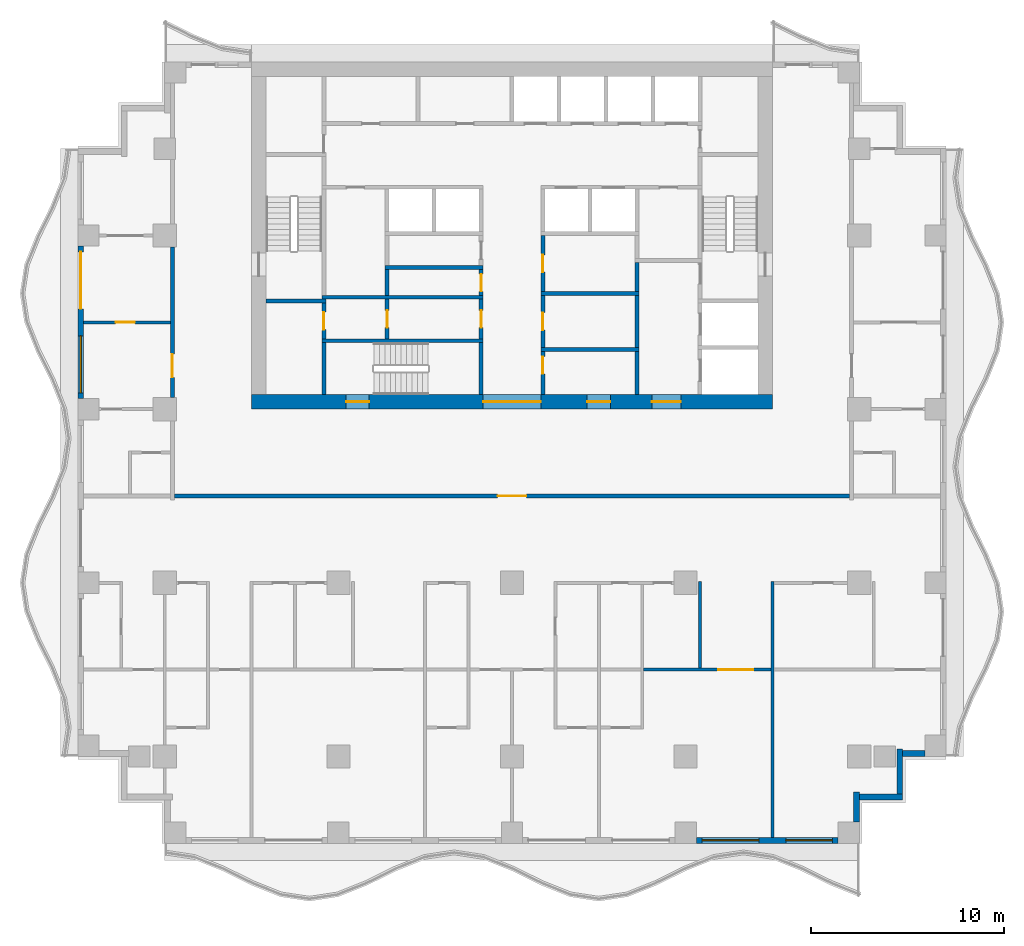
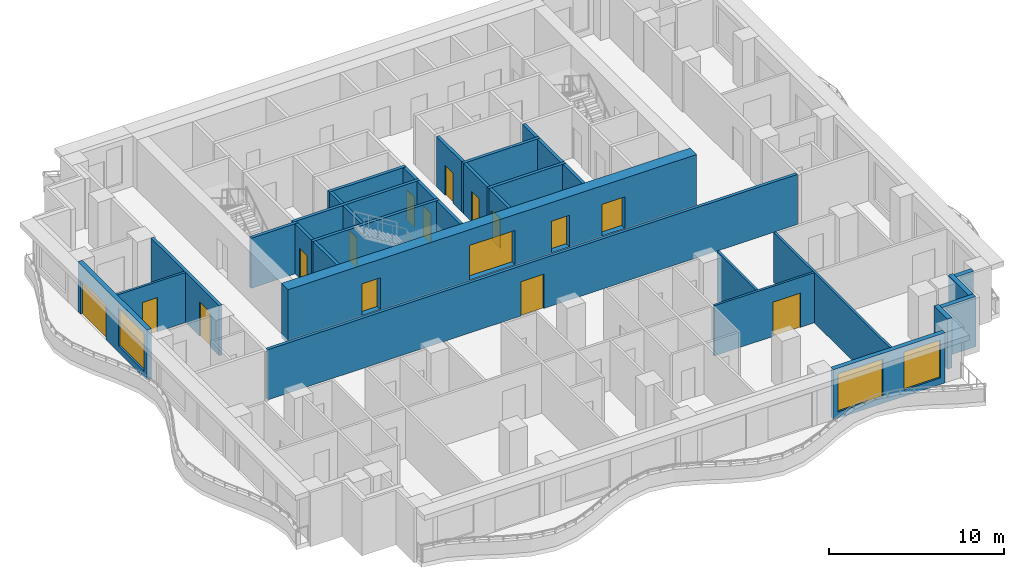
# One storey, part 3 of 10: 32 walls, 16 doors, 3 windows, 19 openings.
"""IFC4 building model written with IfcOpenShell, lengths in metres."""

from ifc_helpers import new_model, si_unit, direction, frame, frame_2d, origin, place, context, subcontext, project, spatial, rectangle, extrude, material, layer, layer_set, type_object, element, fill, save


model = new_model("IFC4")

# Units and contexts
model_context = context("Model", 3, precision=1e-05, world=origin(), true_north=direction((0.0, 1.0)))
body_context = subcontext(model_context, "Body", "Model", "MODEL_VIEW")
ifc_project = project(units=[si_unit("LENGTHUNIT", "METRE"), si_unit("AREAUNIT", "SQUARE_METRE"), si_unit("VOLUMEUNIT", "CUBIC_METRE"), si_unit("PLANEANGLEUNIT", "RADIAN"), si_unit("MASSUNIT", "GRAM", prefix="KILO")], contexts=[model_context])

# Site, building, storey
site_placement = place(None, origin())
site = spatial("IfcSite", under=ifc_project, at=site_placement, CompositionType="ELEMENT")
building_placement = place(site_placement, origin())
building = spatial("IfcBuilding", under=site, at=building_placement, Name="Orbiselva Terraces", CompositionType="ELEMENT")
storey_placement = place(building_placement, frame((0.0, 0.0, 166.8)))
storey = spatial("IfcBuildingStorey", under=building, at=storey_placement, Name="L42", CompositionType="ELEMENT", Elevation=166.8)

# Wall, openings, doors
ifc_material_1 = material(Name="Concrete C80/95", Category="concrete")
ifc_layer_1 = layer(ifc_material_1, 0.75)
ifc_layer_set_1 = layer_set([ifc_layer_1], Name="Concrete C80/95")
wall_type_1 = type_object("IfcWallType", Name="CORE WALL 750", PredefinedType="SHEAR", material=ifc_layer_set_1)
wall_1_placement = place(storey_placement, frame((-13.5, 4.875, -0.3), z_axis=(0.0, 0.0, 1.0), x_axis=(1.0, 0.0, 0.0)))
wall_1 = element("IfcWall", 1, at=wall_1_placement, inside=storey, type_object=wall_type_1, Name="Core wall L42 south", PredefinedType="SHEAR", context=body_context, shape_type="SweptSolid", body=[
    extrude(rectangle(XDim=27.0, YDim=0.75, at=frame_2d((13.5, 0.0))), origin(), (0.0, 0.0, 1.0), 3.8),
])
opening_1_placement = place(wall_1_placement, frame((12.0, 0.0, 0.3)))
opening_1 = element("IfcOpeningElement", 2, at=opening_1_placement, cuts=wall_1, Name="Opening DL3000", PredefinedType="OPENING", context=body_context, shape_type="SweptSolid", body=[
    extrude(rectangle(XDim=3.0, YDim=2.4, at=frame_2d((1.5, 1.2))), frame((0.0, 0.385, 0.0), z_axis=(0.0, -1.0, 0.0), x_axis=(1.0, 0.0, 0.0)), (0.0, 0.0, 1.0), 0.77),
])
opening_2_placement = place(wall_1_placement, frame((4.9, 0.0, 0.3)))
opening_2 = element("IfcOpeningElement", 3, at=opening_2_placement, cuts=wall_1, Name="Opening DS1200", PredefinedType="OPENING", context=body_context, shape_type="SweptSolid", body=[
    extrude(rectangle(XDim=1.2, YDim=2.2, at=frame_2d((0.6, 1.1))), frame((0.0, 0.385, 0.0), z_axis=(0.0, -1.0, 0.0), x_axis=(1.0, 0.0, 0.0)), (0.0, 0.0, 1.0), 0.77),
])
opening_3_placement = place(wall_1_placement, frame((20.75, 0.0, 0.3)))
opening_3 = element("IfcOpeningElement", 4, at=opening_3_placement, cuts=wall_1, Name="Opening DF1500", PredefinedType="OPENING", context=body_context, shape_type="SweptSolid", body=[
    extrude(rectangle(XDim=1.5, YDim=2.2, at=frame_2d((0.75, 1.1))), frame((0.0, 0.385, 0.0), z_axis=(0.0, -1.0, 0.0), x_axis=(1.0, 0.0, 0.0)), (0.0, 0.0, 1.0), 0.77),
])
opening_4_placement = place(wall_1_placement, frame((17.4, 0.0, 0.3)))
opening_4 = element("IfcOpeningElement", 5, at=opening_4_placement, cuts=wall_1, Name="Opening DV1200", PredefinedType="OPENING", context=body_context, shape_type="SweptSolid", body=[
    extrude(rectangle(XDim=1.2, YDim=2.2, at=frame_2d((0.6, 1.1))), frame((0.0, 0.385, 0.0), z_axis=(0.0, -1.0, 0.0), x_axis=(1.0, 0.0, 0.0)), (0.0, 0.0, 1.0), 0.77),
])
ifc_material_2 = material(Name="Steel fire door", Category="steel")
door_type_1 = type_object("IfcDoorType", Name="FFL DOOR 1500", OperationType="DOUBLE_DOOR_SINGLE_SWING", PredefinedType="DOOR", material=ifc_material_2)
door_1_placement = place(opening_3_placement, frame((1.5, 0.0, 0.0), z_axis=(0.0, 0.0, 1.0), x_axis=(-1.0, 0.0, 0.0)))
door_1 = element("IfcDoor", 6, at=door_1_placement, inside=storey, type_object=door_type_1, Name="L42 FIRE-FIGHTING LOBBY door", OperationType="DOUBLE_DOOR_SINGLE_SWING", OverallHeight=2.2, OverallWidth=1.5, PredefinedType="DOOR", context=body_context, shape_type="SweptSolid", body=[
    extrude(rectangle(XDim=1.5, YDim=2.2, at=frame_2d((0.75, 1.1))), frame((0.0, 0.025, 0.0), z_axis=(0.0, -1.0, 0.0), x_axis=(1.0, 0.0, 0.0)), (0.0, 0.0, 1.0), 0.05),
])
fill(opening_3, door_1)
door_type_2 = type_object("IfcDoorType", Name="LOBBY DOOR 3000", OperationType="DOUBLE_DOOR_SINGLE_SWING", PredefinedType="DOOR", material=ifc_material_2)
door_2_placement = place(opening_1_placement, frame((3.0, 0.0, 0.0), z_axis=(0.0, 0.0, 1.0), x_axis=(-1.0, 0.0, 0.0)))
door_2 = element("IfcDoor", 7, at=door_2_placement, inside=storey, type_object=door_type_2, Name="L42 LIFT LOBBY door", OperationType="DOUBLE_DOOR_SINGLE_SWING", OverallHeight=2.4, OverallWidth=3.0, PredefinedType="DOOR", context=body_context, shape_type="SweptSolid", body=[
    extrude(rectangle(XDim=3.0, YDim=2.4, at=frame_2d((1.5, 1.2))), frame((0.0, 0.025, 0.0), z_axis=(0.0, -1.0, 0.0), x_axis=(1.0, 0.0, 0.0)), (0.0, 0.0, 1.0), 0.05),
])
fill(opening_1, door_2)
door_type_3 = type_object("IfcDoorType", Name="SERVICE DOOR 1200", OperationType="NOTDEFINED", PredefinedType="DOOR", material=ifc_material_2)
door_3_placement = place(opening_4_placement, frame((1.2, 0.0, 0.0), z_axis=(0.0, 0.0, 1.0), x_axis=(-1.0, 0.0, 0.0)))
door_3 = element("IfcDoor", 8, at=door_3_placement, inside=storey, type_object=door_type_3, Name="L42 ELECTRICAL RISER ROOM door", OperationType="SINGLE_SWING_RIGHT", OverallHeight=2.2, OverallWidth=1.2, PredefinedType="DOOR", context=body_context, shape_type="SweptSolid", body=[
    extrude(rectangle(XDim=1.2, YDim=2.2, at=frame_2d((0.6, 1.1))), frame((0.0, 0.025, 0.0), z_axis=(0.0, -1.0, 0.0), x_axis=(1.0, 0.0, 0.0)), (0.0, 0.0, 1.0), 0.05),
])
fill(opening_4, door_3)
door_type_4 = type_object("IfcDoorType", Name="STAIR DOOR 1200", OperationType="NOTDEFINED", PredefinedType="DOOR", material=ifc_material_2)
door_4_placement = place(opening_2_placement, frame((1.2, 0.0, 0.0), z_axis=(0.0, 0.0, 1.0), x_axis=(-1.0, 0.0, 0.0)))
door_4 = element("IfcDoor", 9, at=door_4_placement, inside=storey, type_object=door_type_4, Name="L42 EXIT STAIR S3 door", OperationType="SINGLE_SWING_LEFT", OverallHeight=2.2, OverallWidth=1.2, PredefinedType="DOOR", context=body_context, shape_type="SweptSolid", body=[
    extrude(rectangle(XDim=1.2, YDim=2.2, at=frame_2d((0.6, 1.1))), frame((0.0, 0.025, 0.0), z_axis=(0.0, -1.0, 0.0), x_axis=(1.0, 0.0, 0.0)), (0.0, 0.0, 1.0), 0.05),
])
fill(opening_2, door_4)

# Wall, opening, door
ifc_material_3 = material(Name="Masonry blockwork", Category="masonry")
ifc_layer_2 = layer(ifc_material_3, 0.2)
ifc_layer_set_2 = layer_set([ifc_layer_2], Name="Masonry blockwork")
wall_type_2 = type_object("IfcWallType", Name="CORE-WALL-PARTITION-200", PredefinedType="PARTITIONING", material=ifc_layer_set_2)
wall_2_placement = place(storey_placement, frame((-9.75, 8.15, 0.0), z_axis=(0.0, 0.0, 1.0), x_axis=(0.0, 1.0, 0.0)))
wall_2 = element("IfcWall", 10, at=wall_2_placement, inside=storey, type_object=wall_type_2, Name="L42 core wall 05", PredefinedType="PARTITIONING", context=body_context, shape_type="SweptSolid", body=[
    extrude(rectangle(XDim=1.85, YDim=0.2, at=frame_2d((0.925, 0.0))), origin(), (0.0, 0.0, 1.0), 3.5),
])
opening_5_placement = place(wall_2_placement, frame((0.475, 0.0, 0.0)))
opening_5 = element("IfcOpeningElement", 11, at=opening_5_placement, cuts=wall_2, Name="Opening DR900", PredefinedType="OPENING", context=body_context, shape_type="SweptSolid", body=[
    extrude(rectangle(XDim=0.9, YDim=2.1, at=frame_2d((0.45, 1.05))), frame((0.0, 0.11, 0.0), z_axis=(0.0, -1.0, 0.0), x_axis=(1.0, 0.0, 0.0)), (0.0, 0.0, 1.0), 0.22),
])
door_type_5 = type_object("IfcDoorType", Name="ROOM DOOR 900", OperationType="NOTDEFINED", PredefinedType="DOOR", material=ifc_material_2)
door_5_placement = place(opening_5_placement, origin())
door_5 = element("IfcDoor", 12, at=door_5_placement, inside=storey, type_object=door_type_5, Name="L42 ACCESSIBLE WC door", OperationType="SINGLE_SWING_RIGHT", OverallHeight=2.1, OverallWidth=0.9, PredefinedType="DOOR", context=body_context, shape_type="SweptSolid", body=[
    extrude(rectangle(XDim=0.9, YDim=2.1, at=frame_2d((0.45, 1.05))), frame((0.0, 0.025, 0.0), z_axis=(0.0, -1.0, 0.0), x_axis=(1.0, 0.0, 0.0)), (0.0, 0.0, 1.0), 0.05),
])
fill(opening_5, door_5)

wall_3_placement = place(storey_placement, frame((-6.475, 8.15, 0.0), z_axis=(0.0, 0.0, 1.0), x_axis=(0.0, 1.0, 0.0)))
wall_3 = element("IfcWall", 13, at=wall_3_placement, inside=storey, type_object=wall_type_2, Name="L42 core wall 13", PredefinedType="PARTITIONING", context=body_context, shape_type="SweptSolid", body=[
    extrude(rectangle(XDim=2.05, YDim=0.2, at=frame_2d((1.025, 0.0))), origin(), (0.0, 0.0, 1.0), 3.5),
])
opening_6_placement = place(wall_3_placement, frame((0.575, 0.0, 0.0)))
opening_6 = element("IfcOpeningElement", 14, at=opening_6_placement, cuts=wall_3, Name="Opening DR900", PredefinedType="OPENING", context=body_context, shape_type="SweptSolid", body=[
    extrude(rectangle(XDim=0.9, YDim=2.1, at=frame_2d((0.45, 1.05))), frame((0.0, 0.11, 0.0), z_axis=(0.0, -1.0, 0.0), x_axis=(1.0, 0.0, 0.0)), (0.0, 0.0, 1.0), 0.22),
])
door_6_placement = place(opening_6_placement, origin())
door_6 = element("IfcDoor", 15, at=door_6_placement, inside=storey, type_object=door_type_5, Name="L42 CLEANERS STORE door", OperationType="SINGLE_SWING_RIGHT", OverallHeight=2.1, OverallWidth=0.9, PredefinedType="DOOR", context=body_context, shape_type="SweptSolid", body=[
    extrude(rectangle(XDim=0.9, YDim=2.1, at=frame_2d((0.45, 1.05))), frame((0.0, 0.025, 0.0), z_axis=(0.0, -1.0, 0.0), x_axis=(1.0, 0.0, 0.0)), (0.0, 0.0, 1.0), 0.05),
])
fill(opening_6, door_6)

# Wall
wall_4_placement = place(storey_placement, frame((-6.475, 10.4, 0.0), z_axis=(0.0, 0.0, 1.0), x_axis=(0.0, 1.0, 0.0)))
element("IfcWall", 16, at=wall_4_placement, inside=storey, type_object=wall_type_2, Name="L42 core wall 14", PredefinedType="PARTITIONING", context=body_context, shape_type="SweptSolid", body=[
    extrude(rectangle(XDim=1.35, YDim=0.2, at=frame_2d((0.675, 0.0))), origin(), (0.0, 0.0, 1.0), 3.5),
])

# Wall, opening, door
wall_5_placement = place(storey_placement, frame((-1.6, 8.15, 0.0), z_axis=(0.0, 0.0, 1.0), x_axis=(0.0, 1.0, 0.0)))
wall_5 = element("IfcWall", 17, at=wall_5_placement, inside=storey, type_object=wall_type_2, Name="L42 core wall 22", PredefinedType="PARTITIONING", context=body_context, shape_type="SweptSolid", body=[
    extrude(rectangle(XDim=2.05, YDim=0.2, at=frame_2d((1.025, 0.0))), origin(), (0.0, 0.0, 1.0), 3.5),
])
opening_7_placement = place(wall_5_placement, frame((0.575, 0.0, 0.0)))
opening_7 = element("IfcOpeningElement", 18, at=opening_7_placement, cuts=wall_5, Name="Opening DR900", PredefinedType="OPENING", context=body_context, shape_type="SweptSolid", body=[
    extrude(rectangle(XDim=0.9, YDim=2.1, at=frame_2d((0.45, 1.05))), frame((0.0, 0.11, 0.0), z_axis=(0.0, -1.0, 0.0), x_axis=(1.0, 0.0, 0.0)), (0.0, 0.0, 1.0), 0.22),
])
door_7_placement = place(opening_7_placement, origin())
door_7 = element("IfcDoor", 19, at=door_7_placement, inside=storey, type_object=door_type_5, Name="L42 COMMS ROOM door", OperationType="SINGLE_SWING_RIGHT", OverallHeight=2.1, OverallWidth=0.9, PredefinedType="DOOR", context=body_context, shape_type="SweptSolid", body=[
    extrude(rectangle(XDim=0.9, YDim=2.1, at=frame_2d((0.45, 1.05))), frame((0.0, 0.025, 0.0), z_axis=(0.0, -1.0, 0.0), x_axis=(1.0, 0.0, 0.0)), (0.0, 0.0, 1.0), 0.05),
])
fill(opening_7, door_7)

wall_6_placement = place(storey_placement, frame((-1.6, 10.4, 0.0), z_axis=(0.0, 0.0, 1.0), x_axis=(0.0, 1.0, 0.0)))
wall_6 = element("IfcWall", 20, at=wall_6_placement, inside=storey, type_object=wall_type_2, Name="L42 core wall 23", PredefinedType="PARTITIONING", context=body_context, shape_type="SweptSolid", body=[
    extrude(rectangle(XDim=1.35, YDim=0.2, at=frame_2d((0.675, 0.0))), origin(), (0.0, 0.0, 1.0), 3.5),
])
opening_8_placement = place(wall_6_placement, frame((0.2, 0.0, 0.0)))
opening_8 = element("IfcOpeningElement", 21, at=opening_8_placement, cuts=wall_6, Name="Opening DR900", PredefinedType="OPENING", context=body_context, shape_type="SweptSolid", body=[
    extrude(rectangle(XDim=0.9, YDim=2.1, at=frame_2d((0.45, 1.05))), frame((0.0, 0.11, 0.0), z_axis=(0.0, -1.0, 0.0), x_axis=(1.0, 0.0, 0.0)), (0.0, 0.0, 1.0), 0.22),
])
door_8_placement = place(opening_8_placement, origin())
door_8 = element("IfcDoor", 22, at=door_8_placement, inside=storey, type_object=door_type_5, Name="L42 BUILDING STORE door", OperationType="SINGLE_SWING_LEFT", OverallHeight=2.1, OverallWidth=0.9, PredefinedType="DOOR", context=body_context, shape_type="SweptSolid", body=[
    extrude(rectangle(XDim=0.9, YDim=2.1, at=frame_2d((0.45, 1.05))), frame((0.0, 0.025, 0.0), z_axis=(0.0, -1.0, 0.0), x_axis=(1.0, 0.0, 0.0)), (0.0, 0.0, 1.0), 0.05),
])
fill(opening_8, door_8)

wall_7_placement = place(storey_placement, frame((1.6, 7.5, 0.0), z_axis=(0.0, 0.0, 1.0), x_axis=(0.0, -1.0, 0.0)))
wall_7 = element("IfcWall", 23, at=wall_7_placement, inside=storey, type_object=wall_type_2, Name="L42 core wall 27", PredefinedType="PARTITIONING", context=body_context, shape_type="SweptSolid", body=[
    extrude(rectangle(XDim=2.25, YDim=0.2, at=frame_2d((1.125, 0.0))), origin(), (0.0, 0.0, 1.0), 3.5),
])
opening_9_placement = place(wall_7_placement, frame((0.275, 0.0, 0.0)))
opening_9 = element("IfcOpeningElement", 24, at=opening_9_placement, cuts=wall_7, Name="Opening DR900", PredefinedType="OPENING", context=body_context, shape_type="SweptSolid", body=[
    extrude(rectangle(XDim=0.9, YDim=2.1, at=frame_2d((0.45, 1.05))), frame((0.0, 0.11, 0.0), z_axis=(0.0, -1.0, 0.0), x_axis=(1.0, 0.0, 0.0)), (0.0, 0.0, 1.0), 0.22),
])
door_9_placement = place(opening_9_placement, origin())
door_9 = element("IfcDoor", 25, at=door_9_placement, inside=storey, type_object=door_type_5, Name="L42 ELECTRICAL RISER ROOM door", OperationType="SINGLE_SWING_LEFT", OverallHeight=2.1, OverallWidth=0.9, PredefinedType="DOOR", context=body_context, shape_type="SweptSolid", body=[
    extrude(rectangle(XDim=0.9, YDim=2.1, at=frame_2d((0.45, 1.05))), frame((0.0, 0.025, 0.0), z_axis=(0.0, -1.0, 0.0), x_axis=(1.0, 0.0, 0.0)), (0.0, 0.0, 1.0), 0.05),
])
fill(opening_9, door_9)

wall_8_placement = place(storey_placement, frame((1.6, 10.4, 0.0), z_axis=(0.0, 0.0, 1.0), x_axis=(0.0, -1.0, 0.0)))
wall_8 = element("IfcWall", 26, at=wall_8_placement, inside=storey, type_object=wall_type_2, Name="L42 core wall 29", PredefinedType="PARTITIONING", context=body_context, shape_type="SweptSolid", body=[
    extrude(rectangle(XDim=2.7, YDim=0.2, at=frame_2d((1.35, 0.0))), origin(), (0.0, 0.0, 1.0), 3.5),
])
opening_10_placement = place(wall_8_placement, frame((0.9, 0.0, 0.0)))
opening_10 = element("IfcOpeningElement", 27, at=opening_10_placement, cuts=wall_8, Name="Opening DR900", PredefinedType="OPENING", context=body_context, shape_type="SweptSolid", body=[
    extrude(rectangle(XDim=0.9, YDim=2.1, at=frame_2d((0.45, 1.05))), frame((0.0, 0.11, 0.0), z_axis=(0.0, -1.0, 0.0), x_axis=(1.0, 0.0, 0.0)), (0.0, 0.0, 1.0), 0.22),
])
door_10_placement = place(opening_10_placement, origin())
door_10 = element("IfcDoor", 28, at=door_10_placement, inside=storey, type_object=door_type_5, Name="L42 SERVICE PANTRY door", OperationType="SINGLE_SWING_LEFT", OverallHeight=2.1, OverallWidth=0.9, PredefinedType="DOOR", context=body_context, shape_type="SweptSolid", body=[
    extrude(rectangle(XDim=0.9, YDim=2.1, at=frame_2d((0.45, 1.05))), frame((0.0, 0.025, 0.0), z_axis=(0.0, -1.0, 0.0), x_axis=(1.0, 0.0, 0.0)), (0.0, 0.0, 1.0), 0.05),
])
fill(opening_10, door_10)

wall_9_placement = place(storey_placement, frame((1.6, 13.5, 0.0), z_axis=(0.0, 0.0, 1.0), x_axis=(0.0, -1.0, 0.0)))
wall_9 = element("IfcWall", 29, at=wall_9_placement, inside=storey, type_object=wall_type_2, Name="L42 core wall 31", PredefinedType="PARTITIONING", context=body_context, shape_type="SweptSolid", body=[
    extrude(rectangle(XDim=2.9, YDim=0.2, at=frame_2d((1.45, 0.0))), origin(), (0.0, 0.0, 1.0), 3.5),
])
opening_11_placement = place(wall_9_placement, frame((1.0, 0.0, 0.0)))
opening_11 = element("IfcOpeningElement", 30, at=opening_11_placement, cuts=wall_9, Name="Opening DR900", PredefinedType="OPENING", context=body_context, shape_type="SweptSolid", body=[
    extrude(rectangle(XDim=0.9, YDim=2.1, at=frame_2d((0.45, 1.05))), frame((0.0, 0.11, 0.0), z_axis=(0.0, -1.0, 0.0), x_axis=(1.0, 0.0, 0.0)), (0.0, 0.0, 1.0), 0.22),
])
door_11_placement = place(opening_11_placement, origin())
door_11 = element("IfcDoor", 31, at=door_11_placement, inside=storey, type_object=door_type_5, Name="L42 STAFF WC door", OperationType="SINGLE_SWING_LEFT", OverallHeight=2.1, OverallWidth=0.9, PredefinedType="DOOR", context=body_context, shape_type="SweptSolid", body=[
    extrude(rectangle(XDim=0.9, YDim=2.1, at=frame_2d((0.45, 1.05))), frame((0.0, 0.025, 0.0), z_axis=(0.0, -1.0, 0.0), x_axis=(1.0, 0.0, 0.0)), (0.0, 0.0, 1.0), 0.05),
])
fill(opening_11, door_11)

# Walls
ifc_material_4 = material(Name="Concrete C60/75", Category="concrete")
ifc_layer_3 = layer(ifc_material_4, 0.2)
ifc_layer_set_3 = layer_set([ifc_layer_3], Name="Concrete C60/75")
wall_type_3 = type_object("IfcWallType", Name="CORE-WALL-SHEAR-200", PredefinedType="SHEAR", material=ifc_layer_set_3)
wall_10_placement = place(storey_placement, frame((-12.75, 10.1, 0.0), z_axis=(0.0, 0.0, 1.0), x_axis=(1.0, 0.0, 0.0)))
element("IfcWall", 32, at=wall_10_placement, inside=storey, type_object=wall_type_3, Name="L42 core wall 01", PredefinedType="SHEAR", context=body_context, shape_type="SweptSolid", body=[
    extrude(rectangle(XDim=3.1, YDim=0.2, at=frame_2d((1.55, 0.0))), origin(), (0.0, 0.0, 1.0), 3.5),
])
wall_11_placement = place(storey_placement, frame((-9.75, 5.25, 0.0), z_axis=(0.0, 0.0, 1.0), x_axis=(0.0, 1.0, 0.0)))
element("IfcWall", 33, at=wall_11_placement, inside=storey, type_object=wall_type_3, Name="L42 core wall 03", PredefinedType="SHEAR", context=body_context, shape_type="SweptSolid", body=[
    extrude(rectangle(XDim=2.7, YDim=0.2, at=frame_2d((1.35, 0.0))), origin(), (0.0, 0.0, 1.0), 3.5),
])
for number, where, z_axis, x_axis, name in (
    (34, (-9.85, 8.05, 0.0), (0.0, 0.0, 1.0), (1.0, 0.0, 0.0), "L42 core wall 04"),
    (35, (-9.85, 10.3, 0.0), (0.0, 0.0, 1.0), (1.0, 0.0, 0.0), "L42 core wall 06"),
):
    element("IfcWall", number, at=place(storey_placement, frame(where, z_axis=z_axis, x_axis=x_axis)), inside=storey, type_object=wall_type_3, Name=name, PredefinedType="SHEAR", context=body_context, shape_type="SweptSolid", body=[
        extrude(rectangle(XDim=8.35, YDim=0.2, at=frame_2d((4.175, 0.0))), origin(), (0.0, 0.0, 1.0), 3.5),
    ])
wall_12_placement = place(storey_placement, frame((-6.575, 11.85, 0.0), z_axis=(0.0, 0.0, 1.0), x_axis=(1.0, 0.0, 0.0)))
element("IfcWall", 36, at=wall_12_placement, inside=storey, type_object=wall_type_3, Name="L42 core wall 15", PredefinedType="SHEAR", context=body_context, shape_type="SweptSolid", body=[
    extrude(rectangle(XDim=5.075, YDim=0.2, at=frame_2d((2.5375, 0.0))), origin(), (0.0, 0.0, 1.0), 3.5),
])
wall_13_placement = place(storey_placement, frame((-1.6, 5.25, 0.0), z_axis=(0.0, 0.0, 1.0), x_axis=(0.0, 1.0, 0.0)))
element("IfcWall", 37, at=wall_13_placement, inside=storey, type_object=wall_type_3, Name="L42 core wall 21", PredefinedType="SHEAR", context=body_context, shape_type="SweptSolid", body=[
    extrude(rectangle(XDim=2.7, YDim=0.2, at=frame_2d((1.35, 0.0))), origin(), (0.0, 0.0, 1.0), 3.5),
])
for number, where, z_axis, x_axis, name in (
    (38, (1.5, 7.6, 0.0), (0.0, 0.0, 1.0), (1.0, 0.0, 0.0), "L42 core wall 28"),
    (39, (1.5, 10.5, 0.0), (0.0, 0.0, 1.0), (1.0, 0.0, 0.0), "L42 core wall 30"),
):
    element("IfcWall", number, at=place(storey_placement, frame(where, z_axis=z_axis, x_axis=x_axis)), inside=storey, type_object=wall_type_3, Name=name, PredefinedType="SHEAR", context=body_context, shape_type="SweptSolid", body=[
        extrude(rectangle(XDim=5.075, YDim=0.2, at=frame_2d((2.5375, 0.0))), origin(), (0.0, 0.0, 1.0), 3.5),
    ])
wall_14_placement = place(storey_placement, frame((6.475, 5.25, 0.0), z_axis=(0.0, 0.0, 1.0), x_axis=(0.0, 1.0, 0.0)))
element("IfcWall", 40, at=wall_14_placement, inside=storey, type_object=wall_type_3, Name="L42 core wall 38", PredefinedType="SHEAR", context=body_context, shape_type="SweptSolid", body=[
    extrude(rectangle(XDim=2.25, YDim=0.2, at=frame_2d((1.125, 0.0))), origin(), (0.0, 0.0, 1.0), 3.5),
])
wall_15_placement = place(storey_placement, frame((6.475, 7.7, 0.0), z_axis=(0.0, 0.0, 1.0), x_axis=(0.0, 1.0, 0.0)))
element("IfcWall", 41, at=wall_15_placement, inside=storey, type_object=wall_type_3, Name="L42 core wall 39", PredefinedType="SHEAR", context=body_context, shape_type="SweptSolid", body=[
    extrude(rectangle(XDim=2.7, YDim=0.2, at=frame_2d((1.35, 0.0))), origin(), (0.0, 0.0, 1.0), 3.5),
])
wall_16_placement = place(storey_placement, frame((6.475, 10.6, 0.0), z_axis=(0.0, 0.0, 1.0), x_axis=(0.0, 1.0, 0.0)))
element("IfcWall", 42, at=wall_16_placement, inside=storey, type_object=wall_type_3, Name="L42 core wall 40", PredefinedType="SHEAR", context=body_context, shape_type="SweptSolid", body=[
    extrude(rectangle(XDim=1.5, YDim=0.2, at=frame_2d((0.75, 0.0))), origin(), (0.0, 0.0, 1.0), 3.5),
])

# Wall, openings, windows
ifc_material_5 = material(Name="Terracotta cladding on masonry backing", Category="masonry")
ifc_layer_4 = layer(ifc_material_5, 0.3)
ifc_layer_set_4 = layer_set([ifc_layer_4], Name="Terracotta cladding on masonry backing")
wall_type_4 = type_object("IfcWallType", Name="ENV-WALL-TERRACOTTA-300", PredefinedType="SOLIDWALL", material=ifc_layer_set_4)
wall_17_placement = place(storey_placement, frame((16.9, -17.85, 0.0), z_axis=(0.0, 0.0, 1.0), x_axis=(-1.0, 0.0, 0.0)))
wall_17 = element("IfcWall", 43, at=wall_17_placement, inside=storey, type_object=wall_type_4, Name="Facade wall L42 S", PredefinedType="SOLIDWALL", context=body_context, shape_type="SweptSolid", body=[
    extrude(rectangle(XDim=7.35, YDim=0.3, at=frame_2d((3.675, 0.0))), origin(), (0.0, 0.0, 1.0), 3.5),
])
opening_12_placement = place(wall_17_placement, frame((4.1, 0.0, 0.45)))
opening_12 = element("IfcOpeningElement", 44, at=opening_12_placement, cuts=wall_17, Name="Opening WN12", PredefinedType="OPENING", context=body_context, shape_type="SweptSolid", body=[
    extrude(rectangle(XDim=2.95, YDim=2.65, at=frame_2d((1.475, 1.325))), frame((0.0, 0.16, 0.0), z_axis=(0.0, -1.0, 0.0), x_axis=(1.0, 0.0, 0.0)), (0.0, 0.0, 1.0), 0.32),
])
opening_13_placement = place(wall_17_placement, frame((0.3, 0.0, 0.45)))
opening_13 = element("IfcOpeningElement", 45, at=opening_13_placement, cuts=wall_17, Name="Opening WN11", PredefinedType="OPENING", context=body_context, shape_type="SweptSolid", body=[
    extrude(rectangle(XDim=2.4, YDim=2.65, at=frame_2d((1.2, 1.325))), frame((0.0, 0.16, 0.0), z_axis=(0.0, -1.0, 0.0), x_axis=(1.0, 0.0, 0.0)), (0.0, 0.0, 1.0), 0.32),
])
ifc_material_6 = material(Name="Clear low-e glazing in aluminium frame", Category="aluminium")
window_type_1 = type_object("IfcWindowType", Name="WINDOW 2400 X 2650 S450", PartitioningType="TRIPLE_PANEL_VERTICAL", PredefinedType="WINDOW", material=ifc_material_6)
window_1_placement = place(opening_13_placement, origin())
window_1 = element("IfcWindow", 46, at=window_1_placement, inside=storey, type_object=window_type_1, Name="Window L42 S", OverallHeight=2.65, OverallWidth=2.4, PartitioningType="SINGLE_PANEL", PredefinedType="WINDOW", context=body_context, shape_type="SweptSolid", body=[
    extrude(rectangle(XDim=2.4, YDim=2.65, at=frame_2d((1.2, 1.325))), frame((0.0, 0.03, 0.0), z_axis=(0.0, -1.0, 0.0), x_axis=(1.0, 0.0, 0.0)), (0.0, 0.0, 1.0), 0.06),
])
fill(opening_13, window_1)
window_type_2 = type_object("IfcWindowType", Name="WINDOW 2950 X 2650 S450", PartitioningType="TRIPLE_PANEL_VERTICAL", PredefinedType="WINDOW", material=ifc_material_6)
window_2_placement = place(opening_12_placement, origin())
window_2 = element("IfcWindow", 47, at=window_2_placement, inside=storey, type_object=window_type_2, Name="Window L42 S", OverallHeight=2.65, OverallWidth=2.95, PartitioningType="SINGLE_PANEL", PredefinedType="WINDOW", context=body_context, shape_type="SweptSolid", body=[
    extrude(rectangle(XDim=2.95, YDim=2.65, at=frame_2d((1.475, 1.325))), frame((0.0, 0.03, 0.0), z_axis=(0.0, -1.0, 0.0), x_axis=(1.0, 0.0, 0.0)), (0.0, 0.0, 1.0), 0.06),
])
fill(opening_12, window_2)

# Walls
wall_18_placement = place(storey_placement, frame((17.85, -15.35, 0.0), z_axis=(0.0, 0.0, 1.0), x_axis=(0.0, -1.0, 0.0)))
element("IfcWall", 48, at=wall_18_placement, inside=storey, type_object=wall_type_4, Name="Facade wall L42 STEP", PredefinedType="SOLIDWALL", context=body_context, shape_type="SweptSolid", body=[
    extrude(rectangle(XDim=1.55, YDim=0.3, at=frame_2d((0.775, 0.0))), origin(), (0.0, 0.0, 1.0), 3.5),
])
wall_19_placement = place(storey_placement, frame((20.25, -15.6, 0.0), z_axis=(0.0, 0.0, 1.0), x_axis=(-1.0, 0.0, 0.0)))
element("IfcWall", 49, at=wall_19_placement, inside=storey, type_object=wall_type_4, Name="Facade wall L42 STEP", PredefinedType="SOLIDWALL", context=body_context, shape_type="SweptSolid", body=[
    extrude(rectangle(XDim=2.25, YDim=0.3, at=frame_2d((1.125, 0.0))), origin(), (0.0, 0.0, 1.0), 3.5),
])
wall_20_placement = place(storey_placement, frame((20.1, -13.1, 0.0), z_axis=(0.0, 0.0, 1.0), x_axis=(0.0, -1.0, 0.0)))
element("IfcWall", 50, at=wall_20_placement, inside=storey, type_object=wall_type_4, Name="Facade wall L42 STEP", PredefinedType="SOLIDWALL", context=body_context, shape_type="SweptSolid", body=[
    extrude(rectangle(XDim=2.35, YDim=0.3, at=frame_2d((1.175, 0.0))), origin(), (0.0, 0.0, 1.0), 3.5),
])
wall_21_placement = place(storey_placement, frame((21.4, -13.35, 0.0), z_axis=(0.0, 0.0, 1.0), x_axis=(-1.0, 0.0, 0.0)))
element("IfcWall", 51, at=wall_21_placement, inside=storey, type_object=wall_type_4, Name="Facade wall L42 STEP", PredefinedType="SOLIDWALL", context=body_context, shape_type="SweptSolid", body=[
    extrude(rectangle(XDim=1.15, YDim=0.3, at=frame_2d((0.575, 0.0))), origin(), (0.0, 0.0, 1.0), 3.5),
])

# Wall, openings, door, window
wall_22_placement = place(storey_placement, frame((-22.35, 5.05, 0.0), z_axis=(0.0, 0.0, 1.0), x_axis=(0.0, 1.0, 0.0)))
wall_22 = element("IfcWall", 52, at=wall_22_placement, inside=storey, type_object=wall_type_4, Name="Facade wall L42 W", PredefinedType="SOLIDWALL", context=body_context, shape_type="SweptSolid", body=[
    extrude(rectangle(XDim=7.9, YDim=0.3, at=frame_2d((3.95, 0.0))), origin(), (0.0, 0.0, 1.0), 3.5),
])
opening_14_placement = place(wall_22_placement, frame((4.65, 0.0, 0.0)))
opening_14 = element("IfcOpeningElement", 53, at=opening_14_placement, cuts=wall_22, Name="Opening Z3-E-E09", PredefinedType="OPENING", context=body_context, shape_type="SweptSolid", body=[
    extrude(rectangle(XDim=2.95, YDim=2.4, at=frame_2d((1.475, 1.2))), frame((0.0, 0.16, 0.0), z_axis=(0.0, -1.0, 0.0), x_axis=(1.0, 0.0, 0.0)), (0.0, 0.0, 1.0), 0.32),
])
opening_15_placement = place(wall_22_placement, frame((0.3, 0.0, 0.45)))
opening_15 = element("IfcOpeningElement", 54, at=opening_15_placement, cuts=wall_22, Name="Opening WN12", PredefinedType="OPENING", context=body_context, shape_type="SweptSolid", body=[
    extrude(rectangle(XDim=2.95, YDim=2.65, at=frame_2d((1.475, 1.325))), frame((0.0, 0.16, 0.0), z_axis=(0.0, -1.0, 0.0), x_axis=(1.0, 0.0, 0.0)), (0.0, 0.0, 1.0), 0.32),
])
door_type_6 = type_object("IfcDoorType", Name="BALCONY DOOR 2950 X 2400", OperationType="DOUBLE_DOOR_SLIDING", PredefinedType="DOOR", material=ifc_material_6)
door_12_placement = place(opening_14_placement, origin())
door_12 = element("IfcDoor", 55, at=door_12_placement, inside=storey, type_object=door_type_6, Name="Z3-E-E09", OperationType="SINGLE_SWING_LEFT", OverallHeight=2.4, OverallWidth=2.95, PredefinedType="DOOR", context=body_context, shape_type="SweptSolid", body=[
    extrude(rectangle(XDim=2.95, YDim=2.4, at=frame_2d((1.475, 1.2))), frame((0.0, 0.025, 0.0), z_axis=(0.0, -1.0, 0.0), x_axis=(1.0, 0.0, 0.0)), (0.0, 0.0, 1.0), 0.05),
])
fill(opening_14, door_12)
window_3_placement = place(opening_15_placement, origin())
window_3 = element("IfcWindow", 56, at=window_3_placement, inside=storey, type_object=window_type_2, Name="Window L42 W", OverallHeight=2.65, OverallWidth=2.95, PartitioningType="SINGLE_PANEL", PredefinedType="WINDOW", context=body_context, shape_type="SweptSolid", body=[
    extrude(rectangle(XDim=2.95, YDim=2.65, at=frame_2d((1.475, 1.325))), frame((0.0, 0.03, 0.0), z_axis=(0.0, -1.0, 0.0), x_axis=(1.0, 0.0, 0.0)), (0.0, 0.0, 1.0), 0.06),
])
fill(opening_15, window_3)

# Wall, opening, door
ifc_material_7 = material(Name="Plasterboard on steel stud partition", Category="steel")
ifc_layer_5 = layer(ifc_material_7, 0.2)
ifc_layer_set_5 = layer_set([ifc_layer_5], Name="Plasterboard on steel stud partition")
wall_type_5 = type_object("IfcWallType", Name="UNIT-ENTRANCE-WALL-200", PredefinedType="PARTITIONING", material=ifc_layer_set_5)
wall_23_placement = place(storey_placement, frame((17.5, 0.0, 0.0), z_axis=(0.0, 0.0, 1.0), x_axis=(-1.0, 0.0, 0.0)))
wall_23 = element("IfcWall", 57, at=wall_23_placement, inside=storey, type_object=wall_type_5, Name="PARTITION L42-021", PredefinedType="PARTITIONING", context=body_context, shape_type="SweptSolid", body=[
    extrude(rectangle(XDim=35.0, YDim=0.2, at=frame_2d((17.5, 0.0))), origin(), (0.0, 0.0, 1.0), 3.5),
])
opening_16_placement = place(wall_23_placement, frame((16.75, 0.0, 0.0)))
opening_16 = element("IfcOpeningElement", 58, at=opening_16_placement, cuts=wall_23, Name="Opening Z3-E-11", PredefinedType="OPENING", context=body_context, shape_type="SweptSolid", body=[
    extrude(rectangle(XDim=1.5, YDim=2.4, at=frame_2d((0.75, 1.2))), frame((0.0, 0.11, 0.0), z_axis=(0.0, -1.0, 0.0), x_axis=(1.0, 0.0, 0.0)), (0.0, 0.0, 1.0), 0.22),
])
ifc_material_8 = material(Name="Painted timber door leaf", Category="wood")
door_type_7 = type_object("IfcDoorType", Name="ENTRANCE DOUBLE DOOR 1500", OperationType="NOTDEFINED", PredefinedType="DOOR", material=ifc_material_8)
door_13_placement = place(opening_16_placement, origin())
door_13 = element("IfcDoor", 59, at=door_13_placement, inside=storey, type_object=door_type_7, Name="Z3-E-11", OperationType="DOUBLE_DOOR_SINGLE_SWING", OverallHeight=2.4, OverallWidth=1.5, PredefinedType="DOOR", context=body_context, shape_type="SweptSolid", body=[
    extrude(rectangle(XDim=1.5, YDim=2.4, at=frame_2d((0.75, 1.2))), frame((0.0, 0.025, 0.0), z_axis=(0.0, -1.0, 0.0), x_axis=(1.0, 0.0, 0.0)), (0.0, 0.0, 1.0), 0.05),
])
fill(opening_16, door_13)

wall_24_placement = place(storey_placement, frame((-17.6, 5.1, 0.0), z_axis=(0.0, 0.0, 1.0), x_axis=(0.0, 1.0, 0.0)))
wall_24 = element("IfcWall", 60, at=wall_24_placement, inside=storey, type_object=wall_type_5, Name="PARTITION L42-037", PredefinedType="PARTITIONING", context=body_context, shape_type="SweptSolid", body=[
    extrude(rectangle(XDim=7.8, YDim=0.2, at=frame_2d((3.9, 0.0))), origin(), (0.0, 0.0, 1.0), 3.5),
])
opening_17_placement = place(wall_24_placement, frame((1.05, 0.0, 0.0)))
opening_17 = element("IfcOpeningElement", 61, at=opening_17_placement, cuts=wall_24, Name="Opening Z3-E-03", PredefinedType="OPENING", context=body_context, shape_type="SweptSolid", body=[
    extrude(rectangle(XDim=1.2, YDim=2.4, at=frame_2d((0.6, 1.2))), frame((0.0, 0.11, 0.0), z_axis=(0.0, -1.0, 0.0), x_axis=(1.0, 0.0, 0.0)), (0.0, 0.0, 1.0), 0.22),
])
door_type_8 = type_object("IfcDoorType", Name="ENTRANCE DOOR 1200", OperationType="NOTDEFINED", PredefinedType="DOOR", material=ifc_material_8)
door_14_placement = place(opening_17_placement, origin())
door_14 = element("IfcDoor", 62, at=door_14_placement, inside=storey, type_object=door_type_8, Name="Z3-E-03", OperationType="SINGLE_SWING_LEFT", OverallHeight=2.4, OverallWidth=1.2, PredefinedType="DOOR", context=body_context, shape_type="SweptSolid", body=[
    extrude(rectangle(XDim=1.2, YDim=2.4, at=frame_2d((0.6, 1.2))), frame((0.0, 0.025, 0.0), z_axis=(0.0, -1.0, 0.0), x_axis=(1.0, 0.0, 0.0)), (0.0, 0.0, 1.0), 0.05),
])
fill(opening_17, door_14)

ifc_layer_6 = layer(ifc_material_7, 0.15)
ifc_layer_set_6 = layer_set([ifc_layer_6], Name="Plasterboard on steel stud partition")
wall_type_6 = type_object("IfcWallType", Name="UNIT-PARTITION-150", PredefinedType="PARTITIONING", material=ifc_layer_set_6)
wall_25_placement = place(storey_placement, frame((13.425, -9.0, 0.0), z_axis=(0.0, 0.0, 1.0), x_axis=(-1.0, 0.0, 0.0)))
wall_25 = element("IfcWall", 63, at=wall_25_placement, inside=storey, type_object=wall_type_6, Name="PARTITION L42-013", PredefinedType="PARTITIONING", context=body_context, shape_type="SweptSolid", body=[
    extrude(rectangle(XDim=6.6, YDim=0.15, at=frame_2d((3.3, 0.0))), origin(), (0.0, 0.0, 1.0), 3.5),
])
opening_18_placement = place(wall_25_placement, frame((0.925, 0.0, 0.0)))
opening_18 = element("IfcOpeningElement", 64, at=opening_18_placement, cuts=wall_25, Name="Opening Z3-E-22", PredefinedType="OPENING", context=body_context, shape_type="SweptSolid", body=[
    extrude(rectangle(XDim=1.8, YDim=2.4, at=frame_2d((0.9, 1.2))), frame((0.0, 0.085, 0.0), z_axis=(0.0, -1.0, 0.0), x_axis=(1.0, 0.0, 0.0)), (0.0, 0.0, 1.0), 0.17),
])
door_type_9 = type_object("IfcDoorType", Name="DOUBLE DOOR 1800", OperationType="NOTDEFINED", PredefinedType="DOOR", material=ifc_material_8)
door_15_placement = place(opening_18_placement, origin())
door_15 = element("IfcDoor", 65, at=door_15_placement, inside=storey, type_object=door_type_9, Name="Z3-E-22", OperationType="DOUBLE_DOOR_SINGLE_SWING", OverallHeight=2.4, OverallWidth=1.8, PredefinedType="DOOR", context=body_context, shape_type="SweptSolid", body=[
    extrude(rectangle(XDim=1.8, YDim=2.4, at=frame_2d((0.9, 1.2))), frame((0.0, 0.025, 0.0), z_axis=(0.0, -1.0, 0.0), x_axis=(1.0, 0.0, 0.0)), (0.0, 0.0, 1.0), 0.05),
])
fill(opening_18, door_15)

wall_26_placement = place(storey_placement, frame((-22.2, 9.0, 0.0), z_axis=(0.0, 0.0, 1.0), x_axis=(1.0, 0.0, 0.0)))
wall_26 = element("IfcWall", 66, at=wall_26_placement, inside=storey, type_object=wall_type_6, Name="PARTITION L42-028", PredefinedType="PARTITIONING", context=body_context, shape_type="SweptSolid", body=[
    extrude(rectangle(XDim=4.5, YDim=0.15, at=frame_2d((2.25, 0.0))), origin(), (0.0, 0.0, 1.0), 3.5),
])
opening_19_placement = place(wall_26_placement, frame((1.65, 0.0, 0.0)))
opening_19 = element("IfcOpeningElement", 67, at=opening_19_placement, cuts=wall_26, Name="Opening Z3-E-04", PredefinedType="OPENING", context=body_context, shape_type="SweptSolid", body=[
    extrude(rectangle(XDim=1.0, YDim=2.4, at=frame_2d((0.5, 1.2))), frame((0.0, 0.085, 0.0), z_axis=(0.0, -1.0, 0.0), x_axis=(1.0, 0.0, 0.0)), (0.0, 0.0, 1.0), 0.17),
])
door_type_10 = type_object("IfcDoorType", Name="ROOM DOOR 1000", OperationType="NOTDEFINED", PredefinedType="DOOR", material=ifc_material_8)
door_16_placement = place(opening_19_placement, origin())
door_16 = element("IfcDoor", 68, at=door_16_placement, inside=storey, type_object=door_type_10, Name="Z3-E-04", OperationType="SINGLE_SWING_LEFT", OverallHeight=2.4, OverallWidth=1.0, PredefinedType="DOOR", context=body_context, shape_type="SweptSolid", body=[
    extrude(rectangle(XDim=1.0, YDim=2.4, at=frame_2d((0.5, 1.2))), frame((0.0, 0.025, 0.0), z_axis=(0.0, -1.0, 0.0), x_axis=(1.0, 0.0, 0.0)), (0.0, 0.0, 1.0), 0.05),
])
fill(opening_19, door_16)

# Walls
wall_27_placement = place(storey_placement, frame((9.75, -8.925, 0.0), z_axis=(0.0, 0.0, 1.0), x_axis=(0.0, 1.0, 0.0)))
element("IfcWall", 69, at=wall_27_placement, inside=storey, type_object=wall_type_6, Name="PARTITION L42-051", PredefinedType="PARTITIONING", context=body_context, shape_type="SweptSolid", body=[
    extrude(rectangle(XDim=4.5, YDim=0.15, at=frame_2d((2.25, 0.0))), origin(), (0.0, 0.0, 1.0), 3.5),
])
wall_28_placement = place(storey_placement, frame((13.5, -17.7, 0.0), z_axis=(0.0, 0.0, 1.0), x_axis=(0.0, 1.0, 0.0)))
element("IfcWall", 70, at=wall_28_placement, inside=storey, type_object=wall_type_6, Name="PARTITION L42-052", PredefinedType="PARTITIONING", context=body_context, shape_type="SweptSolid", body=[
    extrude(rectangle(XDim=13.275, YDim=0.15, at=frame_2d((6.6375, 0.0))), origin(), (0.0, 0.0, 1.0), 3.5),
])

save(model, "model.ifc")
